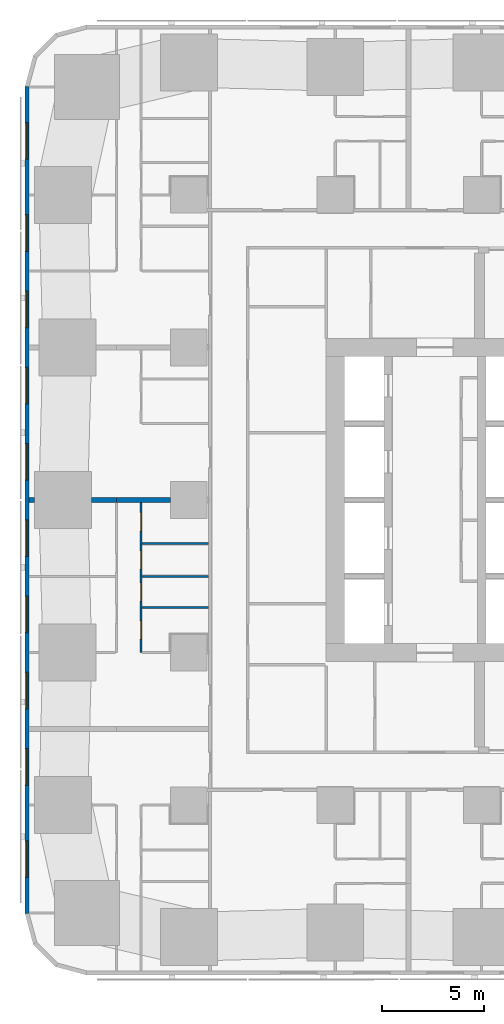
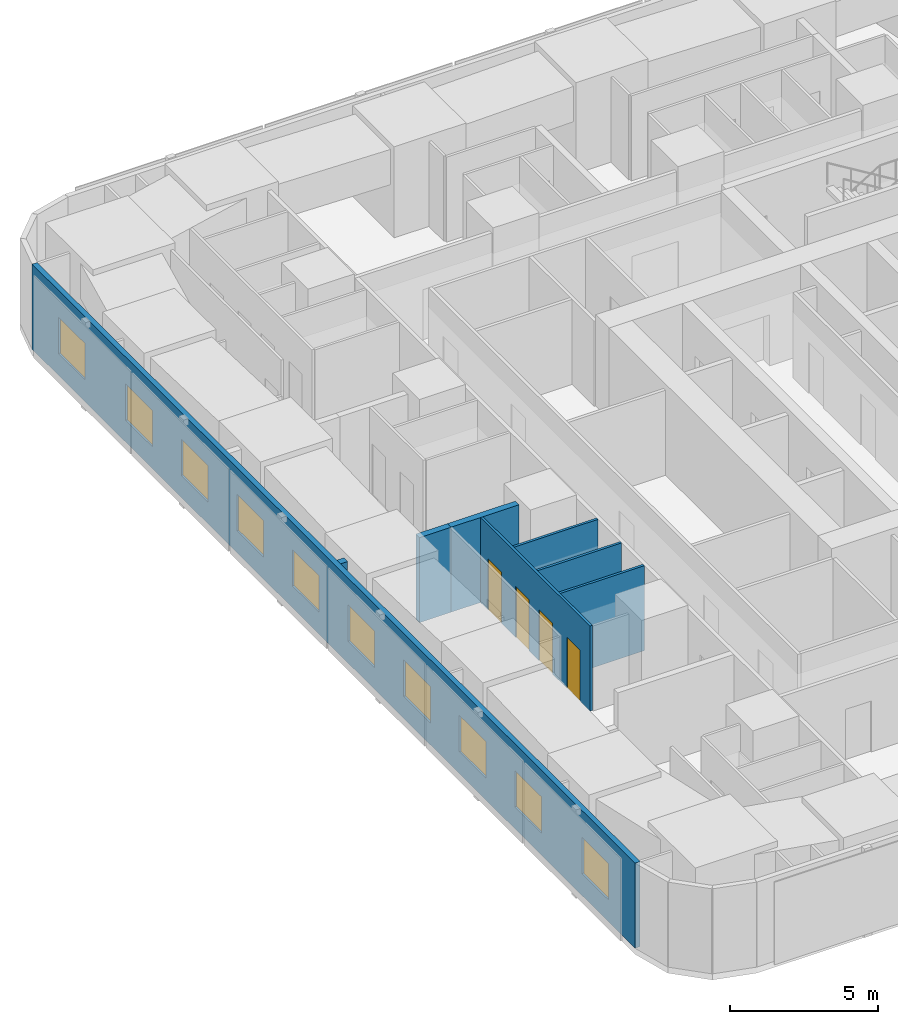
# One storey, part 4 of 16: 10 windows, 8 walls, 4 doors, 14 openings.
"""IFC4 building model written with IfcOpenShell, lengths in metres."""

from ifc_helpers import new_model, si_unit, direction, frame, frame_2d, origin, place, context, subcontext, project, spatial, rectangle, extrude, material, layer, layer_set, type_object, element, fill, save


model = new_model("IFC4")

# Units and contexts
model_context = context("Model", 3, precision=1e-05, world=origin(), true_north=direction((0.0, 1.0)))
body_context = subcontext(model_context, "Body", "Model", "MODEL_VIEW")
ifc_project = project(units=[si_unit("LENGTHUNIT", "METRE"), si_unit("AREAUNIT", "SQUARE_METRE"), si_unit("VOLUMEUNIT", "CUBIC_METRE"), si_unit("PLANEANGLEUNIT", "RADIAN"), si_unit("MASSUNIT", "GRAM", prefix="KILO")], contexts=[model_context])

# Site, building, storey
site_placement = place(None, origin())
site = spatial("IfcSite", under=ifc_project, at=site_placement, CompositionType="ELEMENT")
building_placement = place(site_placement, origin())
building = spatial("IfcBuilding", under=site, at=building_placement, Name="Sheger Commons Tower", CompositionType="ELEMENT")
storey_placement = place(building_placement, frame((0.0, 0.0, 53.75)))
storey = spatial("IfcBuildingStorey", under=building, at=storey_placement, Name="L13", CompositionType="ELEMENT", Elevation=53.75)

# Walls
ifc_material_1 = material(Name="Dense concrete block masonry, plastered both sides (separating wall between flats)", Category="masonry")
ifc_layer_1 = layer(ifc_material_1, 0.25)
ifc_layer_set_1 = layer_set([ifc_layer_1], Name="DEMISING WALL 250")
wall_type_1 = type_object("IfcWallType", Name="DEMISING WALL 250", PredefinedType="SOLIDWALL", material=ifc_layer_set_1)
wall_1_placement = place(storey_placement, frame((-0.64990234375, 22.5, 0.0), z_axis=(0.0, 0.0, 1.0), x_axis=(1.0, 0.0, 0.0)))
element("IfcWall", 1, at=wall_1_placement, inside=storey, type_object=wall_type_1, Name="Demising wall L13", PredefinedType="SOLIDWALL", context=body_context, shape_type="SweptSolid", body=[
    extrude(rectangle(XDim=0.27392578125, YDim=0.25, at=frame_2d((0.136962890625, 0.0))), origin(), (0.0, 0.0, 1.0), 3.5),
])
wall_2_placement = place(storey_placement, frame((2.426025390625, 22.5, 0.0), z_axis=(0.0, 0.0, 1.0), x_axis=(1.0, 0.0, 0.0)))
element("IfcWall", 2, at=wall_2_placement, inside=storey, type_object=wall_type_1, Name="Demising wall L13", PredefinedType="SOLIDWALL", context=body_context, shape_type="SweptSolid", body=[
    extrude(rectangle(XDim=1.223876953125, YDim=0.25, at=frame_2d((0.61181640625, 0.0))), origin(), (0.0, 0.0, 1.0), 3.5),
])
wall_3_placement = place(storey_placement, frame((3.64990234375, 22.5, 0.0), z_axis=(0.0, 0.0, 1.0), x_axis=(1.0, 0.0, 0.0)))
element("IfcWall", 3, at=wall_3_placement, inside=storey, type_object=wall_type_1, Name="Demising wall L13", PredefinedType="SOLIDWALL", context=body_context, shape_type="SweptSolid", body=[
    extrude(rectangle(XDim=2.649169921875, YDim=0.25, at=frame_2d((1.32470703125, 0.0))), origin(), (0.0, 0.0, 1.0), 3.5),
])

# Wall, openings, windows
ifc_material_2 = material(Name="Rendered concrete block masonry, dark grey", Category="masonry")
ifc_layer_2 = layer(ifc_material_2, 0.199951171875)
ifc_layer_set_2 = layer_set([ifc_layer_2], Name="FACADE WALL 200")
wall_type_2 = type_object("IfcWallType", Name="FACADE WALL 200", PredefinedType="SOLIDWALL", material=ifc_layer_set_2)
wall_4_placement = place(storey_placement, frame((-0.75, 42.8369140625, 0.0), z_axis=(0.0, 0.0, 1.0), x_axis=(0.0, -1.0, 0.0)))
wall_4 = element("IfcWall", 4, at=wall_4_placement, inside=storey, type_object=wall_type_2, Name="Facade wall L13", PredefinedType="SOLIDWALL", context=body_context, shape_type="SweptSolid", body=[
    extrude(rectangle(XDim=40.673828125, YDim=0.199951171875, at=frame_2d((20.3369140625, 0.0))), origin(), (0.0, 0.0, 1.0), 3.5),
])
opening_1_placement = place(wall_4_placement, frame((1.780029296875, 0.0, 0.89990234375)))
opening_1 = element("IfcOpeningElement", 5, at=opening_1_placement, cuts=wall_4, Name="Opening W2", PredefinedType="OPENING", context=body_context, shape_type="SweptSolid", body=[
    extrude(rectangle(XDim=1.800048828125, YDim=1.5, at=frame_2d((0.89990234375, 0.75))), frame((0.0, 0.10986328125, 0.0), z_axis=(0.0, -1.0, 0.0), x_axis=(1.0, 0.0, 0.0)), (0.0, 0.0, 1.0), 0.219970703125),
])
opening_2_placement = place(wall_4_placement, frame((6.31201171875, 0.0, 0.89990234375)))
opening_2 = element("IfcOpeningElement", 6, at=opening_2_placement, cuts=wall_4, Name="Opening W2", PredefinedType="OPENING", context=body_context, shape_type="SweptSolid", body=[
    extrude(rectangle(XDim=1.800048828125, YDim=1.5, at=frame_2d((0.89990234375, 0.75))), frame((0.0, 0.10986328125, 0.0), z_axis=(0.0, -1.0, 0.0), x_axis=(1.0, 0.0, 0.0)), (0.0, 0.0, 1.0), 0.219970703125),
])
opening_3_placement = place(wall_4_placement, frame((10.06201171875, 0.0, 0.89990234375)))
opening_3 = element("IfcOpeningElement", 7, at=opening_3_placement, cuts=wall_4, Name="Opening W2", PredefinedType="OPENING", context=body_context, shape_type="SweptSolid", body=[
    extrude(rectangle(XDim=1.800048828125, YDim=1.5, at=frame_2d((0.89990234375, 0.75))), frame((0.0, 0.10986328125, 0.0), z_axis=(0.0, -1.0, 0.0), x_axis=(1.0, 0.0, 0.0)), (0.0, 0.0, 1.0), 0.219970703125),
])
opening_4_placement = place(wall_4_placement, frame((13.81201171875, 0.0, 0.89990234375)))
opening_4 = element("IfcOpeningElement", 8, at=opening_4_placement, cuts=wall_4, Name="Opening W2", PredefinedType="OPENING", context=body_context, shape_type="SweptSolid", body=[
    extrude(rectangle(XDim=1.800048828125, YDim=1.5, at=frame_2d((0.89990234375, 0.75))), frame((0.0, 0.10986328125, 0.0), z_axis=(0.0, -1.0, 0.0), x_axis=(1.0, 0.0, 0.0)), (0.0, 0.0, 1.0), 0.219970703125),
])
opening_5_placement = place(wall_4_placement, frame((17.56201171875, 0.0, 0.89990234375)))
opening_5 = element("IfcOpeningElement", 9, at=opening_5_placement, cuts=wall_4, Name="Opening W2", PredefinedType="OPENING", context=body_context, shape_type="SweptSolid", body=[
    extrude(rectangle(XDim=1.800048828125, YDim=1.5, at=frame_2d((0.89990234375, 0.75))), frame((0.0, 0.10986328125, 0.0), z_axis=(0.0, -1.0, 0.0), x_axis=(1.0, 0.0, 0.0)), (0.0, 0.0, 1.0), 0.219970703125),
])
opening_6_placement = place(wall_4_placement, frame((21.31201171875, 0.0, 0.89990234375)))
opening_6 = element("IfcOpeningElement", 10, at=opening_6_placement, cuts=wall_4, Name="Opening W2", PredefinedType="OPENING", context=body_context, shape_type="SweptSolid", body=[
    extrude(rectangle(XDim=1.800048828125, YDim=1.5, at=frame_2d((0.89990234375, 0.75))), frame((0.0, 0.10986328125, 0.0), z_axis=(0.0, -1.0, 0.0), x_axis=(1.0, 0.0, 0.0)), (0.0, 0.0, 1.0), 0.219970703125),
])
opening_7_placement = place(wall_4_placement, frame((25.06201171875, 0.0, 0.89990234375)))
opening_7 = element("IfcOpeningElement", 11, at=opening_7_placement, cuts=wall_4, Name="Opening W2", PredefinedType="OPENING", context=body_context, shape_type="SweptSolid", body=[
    extrude(rectangle(XDim=1.800048828125, YDim=1.5, at=frame_2d((0.89990234375, 0.75))), frame((0.0, 0.10986328125, 0.0), z_axis=(0.0, -1.0, 0.0), x_axis=(1.0, 0.0, 0.0)), (0.0, 0.0, 1.0), 0.219970703125),
])
opening_8_placement = place(wall_4_placement, frame((28.81201171875, 0.0, 0.89990234375)))
opening_8 = element("IfcOpeningElement", 12, at=opening_8_placement, cuts=wall_4, Name="Opening W2", PredefinedType="OPENING", context=body_context, shape_type="SweptSolid", body=[
    extrude(rectangle(XDim=1.800048828125, YDim=1.5, at=frame_2d((0.89990234375, 0.75))), frame((0.0, 0.10986328125, 0.0), z_axis=(0.0, -1.0, 0.0), x_axis=(1.0, 0.0, 0.0)), (0.0, 0.0, 1.0), 0.219970703125),
])
opening_9_placement = place(wall_4_placement, frame((32.56201171875, 0.0, 0.89990234375)))
opening_9 = element("IfcOpeningElement", 13, at=opening_9_placement, cuts=wall_4, Name="Opening W2", PredefinedType="OPENING", context=body_context, shape_type="SweptSolid", body=[
    extrude(rectangle(XDim=1.800048828125, YDim=1.5, at=frame_2d((0.89990234375, 0.75))), frame((0.0, 0.10986328125, 0.0), z_axis=(0.0, -1.0, 0.0), x_axis=(1.0, 0.0, 0.0)), (0.0, 0.0, 1.0), 0.219970703125),
])
opening_10_placement = place(wall_4_placement, frame((37.093994140625, 0.0, 0.89990234375)))
opening_10 = element("IfcOpeningElement", 14, at=opening_10_placement, cuts=wall_4, Name="Opening W2", PredefinedType="OPENING", context=body_context, shape_type="SweptSolid", body=[
    extrude(rectangle(XDim=1.800048828125, YDim=1.5, at=frame_2d((0.89990234375, 0.75))), frame((0.0, 0.10986328125, 0.0), z_axis=(0.0, -1.0, 0.0), x_axis=(1.0, 0.0, 0.0)), (0.0, 0.0, 1.0), 0.219970703125),
])
ifc_material_3 = material(Name="Black aluminium frame, dark tinted double glazing", Category="aluminium")
window_type = type_object("IfcWindowType", Name="WINDOW W2 1800x1500", PartitioningType="SINGLE_PANEL", PredefinedType="WINDOW", material=ifc_material_3)
window_1_placement = place(opening_1_placement, origin())
window_1 = element("IfcWindow", 15, at=window_1_placement, inside=storey, type_object=window_type, Name="Window W2 1800X1500", OverallHeight=1.5, OverallWidth=1.800048828125, PartitioningType="SINGLE_PANEL", PredefinedType="WINDOW", context=body_context, shape_type="SweptSolid", body=[
    extrude(rectangle(XDim=1.800048828125, YDim=1.5, at=frame_2d((0.89990234375, 0.75))), frame((0.0, 0.030029296875, 0.0), z_axis=(0.0, -1.0, 0.0), x_axis=(1.0, 0.0, 0.0)), (0.0, 0.0, 1.0), 0.06005859375),
])
fill(opening_1, window_1)
window_2_placement = place(opening_2_placement, origin())
window_2 = element("IfcWindow", 16, at=window_2_placement, inside=storey, type_object=window_type, Name="Window W2 1800X1500", OverallHeight=1.5, OverallWidth=1.800048828125, PartitioningType="SINGLE_PANEL", PredefinedType="WINDOW", context=body_context, shape_type="SweptSolid", body=[
    extrude(rectangle(XDim=1.800048828125, YDim=1.5, at=frame_2d((0.89990234375, 0.75))), frame((0.0, 0.030029296875, 0.0), z_axis=(0.0, -1.0, 0.0), x_axis=(1.0, 0.0, 0.0)), (0.0, 0.0, 1.0), 0.06005859375),
])
fill(opening_2, window_2)
window_3_placement = place(opening_3_placement, origin())
window_3 = element("IfcWindow", 17, at=window_3_placement, inside=storey, type_object=window_type, Name="Window W2 1800X1500", OverallHeight=1.5, OverallWidth=1.800048828125, PartitioningType="SINGLE_PANEL", PredefinedType="WINDOW", context=body_context, shape_type="SweptSolid", body=[
    extrude(rectangle(XDim=1.800048828125, YDim=1.5, at=frame_2d((0.89990234375, 0.75))), frame((0.0, 0.030029296875, 0.0), z_axis=(0.0, -1.0, 0.0), x_axis=(1.0, 0.0, 0.0)), (0.0, 0.0, 1.0), 0.06005859375),
])
fill(opening_3, window_3)
window_4_placement = place(opening_4_placement, origin())
window_4 = element("IfcWindow", 18, at=window_4_placement, inside=storey, type_object=window_type, Name="Window W2 1800X1500", OverallHeight=1.5, OverallWidth=1.800048828125, PartitioningType="SINGLE_PANEL", PredefinedType="WINDOW", context=body_context, shape_type="SweptSolid", body=[
    extrude(rectangle(XDim=1.800048828125, YDim=1.5, at=frame_2d((0.89990234375, 0.75))), frame((0.0, 0.030029296875, 0.0), z_axis=(0.0, -1.0, 0.0), x_axis=(1.0, 0.0, 0.0)), (0.0, 0.0, 1.0), 0.06005859375),
])
fill(opening_4, window_4)
window_5_placement = place(opening_5_placement, origin())
window_5 = element("IfcWindow", 19, at=window_5_placement, inside=storey, type_object=window_type, Name="Window W2 1800X1500", OverallHeight=1.5, OverallWidth=1.800048828125, PartitioningType="SINGLE_PANEL", PredefinedType="WINDOW", context=body_context, shape_type="SweptSolid", body=[
    extrude(rectangle(XDim=1.800048828125, YDim=1.5, at=frame_2d((0.89990234375, 0.75))), frame((0.0, 0.030029296875, 0.0), z_axis=(0.0, -1.0, 0.0), x_axis=(1.0, 0.0, 0.0)), (0.0, 0.0, 1.0), 0.06005859375),
])
fill(opening_5, window_5)
window_6_placement = place(opening_6_placement, origin())
window_6 = element("IfcWindow", 20, at=window_6_placement, inside=storey, type_object=window_type, Name="Window W2 1800X1500", OverallHeight=1.5, OverallWidth=1.800048828125, PartitioningType="SINGLE_PANEL", PredefinedType="WINDOW", context=body_context, shape_type="SweptSolid", body=[
    extrude(rectangle(XDim=1.800048828125, YDim=1.5, at=frame_2d((0.89990234375, 0.75))), frame((0.0, 0.030029296875, 0.0), z_axis=(0.0, -1.0, 0.0), x_axis=(1.0, 0.0, 0.0)), (0.0, 0.0, 1.0), 0.06005859375),
])
fill(opening_6, window_6)
window_7_placement = place(opening_7_placement, origin())
window_7 = element("IfcWindow", 21, at=window_7_placement, inside=storey, type_object=window_type, Name="Window W2 1800X1500", OverallHeight=1.5, OverallWidth=1.800048828125, PartitioningType="SINGLE_PANEL", PredefinedType="WINDOW", context=body_context, shape_type="SweptSolid", body=[
    extrude(rectangle(XDim=1.800048828125, YDim=1.5, at=frame_2d((0.89990234375, 0.75))), frame((0.0, 0.030029296875, 0.0), z_axis=(0.0, -1.0, 0.0), x_axis=(1.0, 0.0, 0.0)), (0.0, 0.0, 1.0), 0.06005859375),
])
fill(opening_7, window_7)
window_8_placement = place(opening_8_placement, origin())
window_8 = element("IfcWindow", 22, at=window_8_placement, inside=storey, type_object=window_type, Name="Window W2 1800X1500", OverallHeight=1.5, OverallWidth=1.800048828125, PartitioningType="SINGLE_PANEL", PredefinedType="WINDOW", context=body_context, shape_type="SweptSolid", body=[
    extrude(rectangle(XDim=1.800048828125, YDim=1.5, at=frame_2d((0.89990234375, 0.75))), frame((0.0, 0.030029296875, 0.0), z_axis=(0.0, -1.0, 0.0), x_axis=(1.0, 0.0, 0.0)), (0.0, 0.0, 1.0), 0.06005859375),
])
fill(opening_8, window_8)
window_9_placement = place(opening_9_placement, origin())
window_9 = element("IfcWindow", 23, at=window_9_placement, inside=storey, type_object=window_type, Name="Window W2 1800X1500", OverallHeight=1.5, OverallWidth=1.800048828125, PartitioningType="SINGLE_PANEL", PredefinedType="WINDOW", context=body_context, shape_type="SweptSolid", body=[
    extrude(rectangle(XDim=1.800048828125, YDim=1.5, at=frame_2d((0.89990234375, 0.75))), frame((0.0, 0.030029296875, 0.0), z_axis=(0.0, -1.0, 0.0), x_axis=(1.0, 0.0, 0.0)), (0.0, 0.0, 1.0), 0.06005859375),
])
fill(opening_9, window_9)
window_10_placement = place(opening_10_placement, origin())
window_10 = element("IfcWindow", 24, at=window_10_placement, inside=storey, type_object=window_type, Name="Window W2 1800X1500", OverallHeight=1.5, OverallWidth=1.800048828125, PartitioningType="SINGLE_PANEL", PredefinedType="WINDOW", context=body_context, shape_type="SweptSolid", body=[
    extrude(rectangle(XDim=1.800048828125, YDim=1.5, at=frame_2d((0.89990234375, 0.75))), frame((0.0, 0.030029296875, 0.0), z_axis=(0.0, -1.0, 0.0), x_axis=(1.0, 0.0, 0.0)), (0.0, 0.0, 1.0), 0.06005859375),
])
fill(opening_10, window_10)

# Wall, openings, doors
ifc_material_4 = material(Name="Gypsum board on steel studs", Category="steel")
ifc_layer_3 = layer(ifc_material_4, 0.10009765625)
ifc_layer_set_3 = layer_set([ifc_layer_3], Name="PARTITION 100")
wall_type_3 = type_object("IfcWallType", Name="PARTITION 100", PredefinedType="PARTITIONING", material=ifc_layer_set_3)
wall_5_placement = place(storey_placement, frame((4.85009765625, 15.0, 0.0), z_axis=(0.0, 0.0, 1.0), x_axis=(0.0, 1.0, 0.0)))
wall_5 = element("IfcWall", 25, at=wall_5_placement, inside=storey, type_object=wall_type_3, Name="Partition L13", PredefinedType="PARTITIONING", context=body_context, shape_type="SweptSolid", body=[
    extrude(rectangle(XDim=7.375, YDim=0.10009765625, at=frame_2d((3.6875, 0.0))), origin(), (0.0, 0.0, 1.0), 3.5),
])
opening_11_placement = place(wall_5_placement, frame((0.655029296875, 0.0, 0.0)))
opening_11 = element("IfcOpeningElement", 26, at=opening_11_placement, cuts=wall_5, Name="Opening D2", PredefinedType="OPENING", context=body_context, shape_type="SweptSolid", body=[
    extrude(rectangle(XDim=0.89990234375, YDim=2.10009765625, at=frame_2d((0.449951171875, 1.050048828125))), frame((0.0, 0.06005859375, 0.0), z_axis=(0.0, -1.0, 0.0), x_axis=(1.0, 0.0, 0.0)), (0.0, 0.0, 1.0), 0.1201171875),
])
opening_12_placement = place(wall_5_placement, frame((4.10009765625, 0.0, 0.0)))
opening_12 = element("IfcOpeningElement", 27, at=opening_12_placement, cuts=wall_5, Name="Opening D2", PredefinedType="OPENING", context=body_context, shape_type="SweptSolid", body=[
    extrude(rectangle(XDim=0.89990234375, YDim=2.10009765625, at=frame_2d((0.449951171875, 1.050048828125))), frame((0.0, 0.06005859375, 0.0), z_axis=(0.0, -1.0, 0.0), x_axis=(1.0, 0.0, 0.0)), (0.0, 0.0, 1.0), 0.1201171875),
])
opening_13_placement = place(wall_5_placement, frame((2.530029296875, 0.0, 0.0)))
opening_13 = element("IfcOpeningElement", 28, at=opening_13_placement, cuts=wall_5, Name="Opening D2", PredefinedType="OPENING", context=body_context, shape_type="SweptSolid", body=[
    extrude(rectangle(XDim=0.89990234375, YDim=2.10009765625, at=frame_2d((0.449951171875, 1.050048828125))), frame((0.0, 0.06005859375, 0.0), z_axis=(0.0, -1.0, 0.0), x_axis=(1.0, 0.0, 0.0)), (0.0, 0.0, 1.0), 0.1201171875),
])
opening_14_placement = place(wall_5_placement, frame((5.97509765625, 0.0, 0.0)))
opening_14 = element("IfcOpeningElement", 29, at=opening_14_placement, cuts=wall_5, Name="Opening D2", PredefinedType="OPENING", context=body_context, shape_type="SweptSolid", body=[
    extrude(rectangle(XDim=0.89990234375, YDim=2.10009765625, at=frame_2d((0.449951171875, 1.050048828125))), frame((0.0, 0.06005859375, 0.0), z_axis=(0.0, -1.0, 0.0), x_axis=(1.0, 0.0, 0.0)), (0.0, 0.0, 1.0), 0.1201171875),
])
ifc_material_5 = material(Name="Timber door set", Category="wood")
door_type = type_object("IfcDoorType", Name="INTERNAL DOOR 900x2100", OperationType="NOTDEFINED", PredefinedType="DOOR", material=ifc_material_5)
door_1_placement = place(opening_11_placement, origin())
door_1 = element("IfcDoor", 30, at=door_1_placement, inside=storey, type_object=door_type, Name="Bathroom door", OperationType="SINGLE_SWING_RIGHT", OverallHeight=2.10009765625, OverallWidth=0.89990234375, PredefinedType="DOOR", context=body_context, shape_type="SweptSolid", body=[
    extrude(rectangle(XDim=0.89990234375, YDim=2.10009765625, at=frame_2d((0.449951171875, 1.050048828125))), frame((0.0, 0.02490234375, 0.0), z_axis=(0.0, -1.0, 0.0), x_axis=(1.0, 0.0, 0.0)), (0.0, 0.0, 1.0), 0.050048828125),
])
fill(opening_11, door_1)
door_2_placement = place(opening_12_placement, origin())
door_2 = element("IfcDoor", 31, at=door_2_placement, inside=storey, type_object=door_type, Name="Shower room door", OperationType="SINGLE_SWING_RIGHT", OverallHeight=2.10009765625, OverallWidth=0.89990234375, PredefinedType="DOOR", context=body_context, shape_type="SweptSolid", body=[
    extrude(rectangle(XDim=0.89990234375, YDim=2.10009765625, at=frame_2d((0.449951171875, 1.050048828125))), frame((0.0, 0.02490234375, 0.0), z_axis=(0.0, -1.0, 0.0), x_axis=(1.0, 0.0, 0.0)), (0.0, 0.0, 1.0), 0.050048828125),
])
fill(opening_12, door_2)
door_3_placement = place(opening_13_placement, origin())
door_3 = element("IfcDoor", 32, at=door_3_placement, inside=storey, type_object=door_type, Name="Store door", OperationType="SINGLE_SWING_RIGHT", OverallHeight=2.10009765625, OverallWidth=0.89990234375, PredefinedType="DOOR", context=body_context, shape_type="SweptSolid", body=[
    extrude(rectangle(XDim=0.89990234375, YDim=2.10009765625, at=frame_2d((0.449951171875, 1.050048828125))), frame((0.0, 0.02490234375, 0.0), z_axis=(0.0, -1.0, 0.0), x_axis=(1.0, 0.0, 0.0)), (0.0, 0.0, 1.0), 0.050048828125),
])
fill(opening_13, door_3)
door_4_placement = place(opening_14_placement, origin())
door_4 = element("IfcDoor", 33, at=door_4_placement, inside=storey, type_object=door_type, Name="Store door", OperationType="SINGLE_SWING_LEFT", OverallHeight=2.10009765625, OverallWidth=0.89990234375, PredefinedType="DOOR", context=body_context, shape_type="SweptSolid", body=[
    extrude(rectangle(XDim=0.89990234375, YDim=2.10009765625, at=frame_2d((0.449951171875, 1.050048828125))), frame((0.0, 0.02490234375, 0.0), z_axis=(0.0, -1.0, 0.0), x_axis=(1.0, 0.0, 0.0)), (0.0, 0.0, 1.0), 0.050048828125),
])
fill(opening_14, door_4)

# Walls
for number, where, z_axis, x_axis, name in (
    (34, (4.89990234375, 18.75, 0.0), (0.0, 0.0, 1.0), (1.0, 0.0, 0.0), "Partition L13"),
    (35, (4.89990234375, 17.2099609375, 0.0), (0.0, 0.0, 1.0), (1.0, 0.0, 0.0), "Partition L13"),
    (36, (4.89990234375, 20.35009765625, 0.0), (0.0, 0.0, 1.0), (1.0, 0.0, 0.0), "Partition L13"),
):
    element("IfcWall", number, at=place(storey_placement, frame(where, z_axis=z_axis, x_axis=x_axis)), inside=storey, type_object=wall_type_3, Name=name, PredefinedType="PARTITIONING", context=body_context, shape_type="SweptSolid", body=[
        extrude(rectangle(XDim=3.275146484375, YDim=0.10009765625, at=frame_2d((1.6376953125, 0.0))), origin(), (0.0, 0.0, 1.0), 3.5),
    ])

save(model, "model.ifc")
